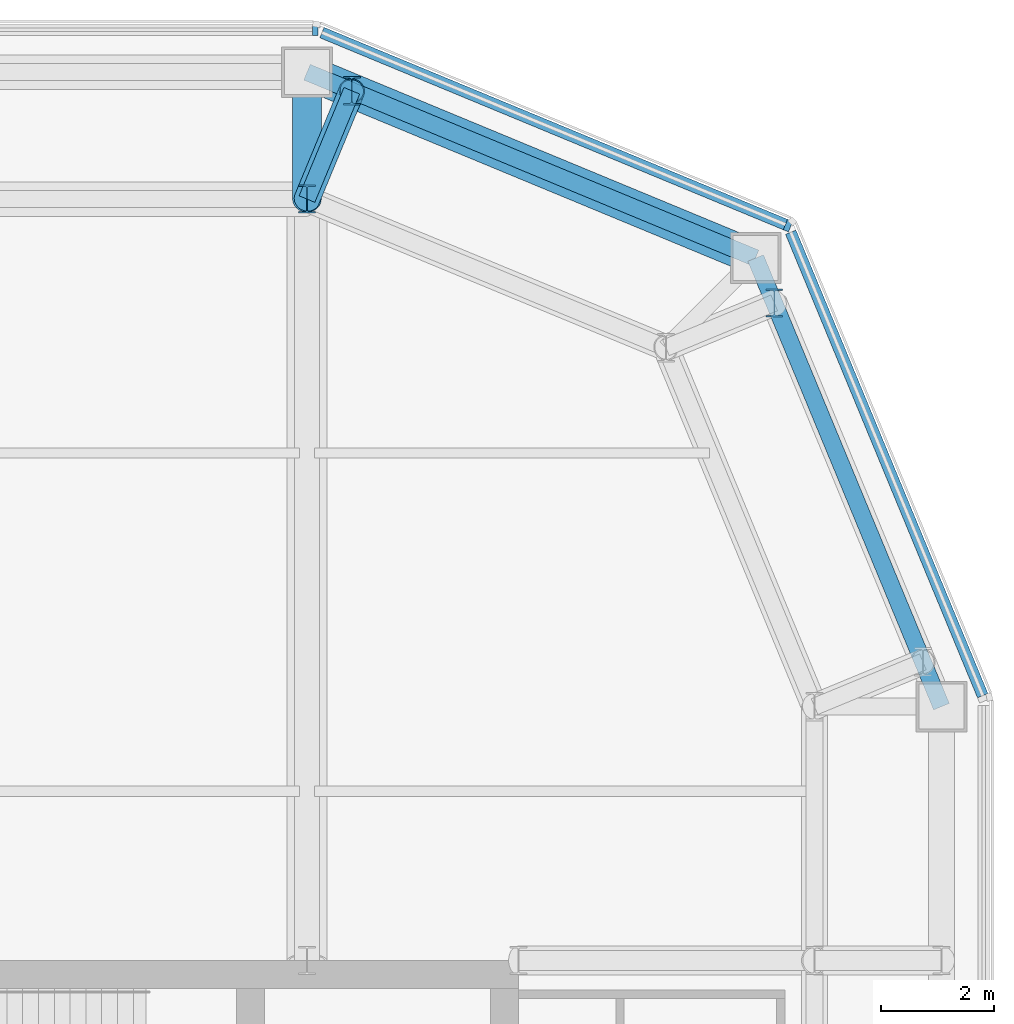
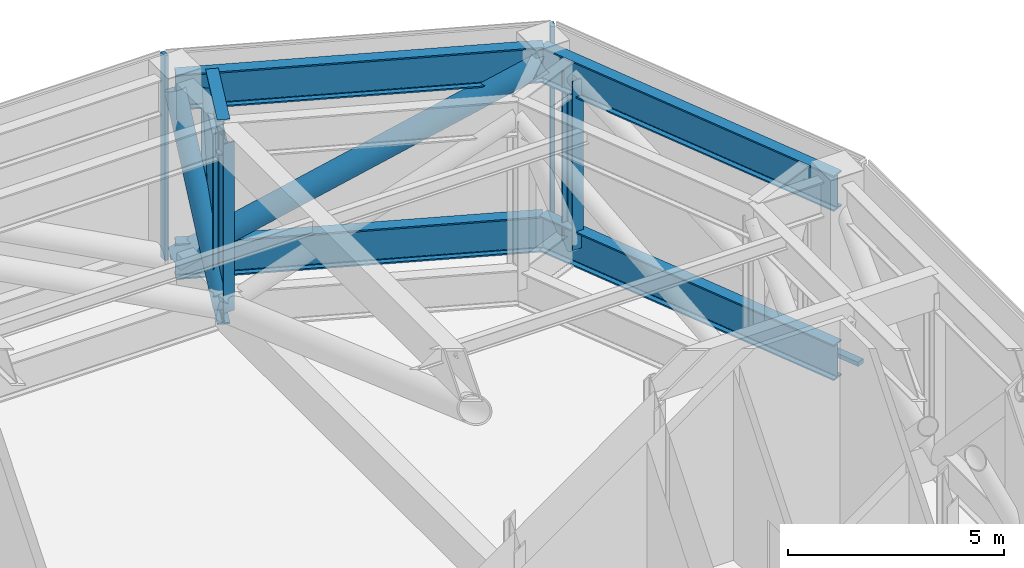
# One storey, part 9 of 22: 10 members, 6 beams, 3 elements without a shape of their own.
"""IFC4 building model written with IfcOpenShell, lengths in metres."""

from ifc_helpers import new_model, si_unit, direction, frame, origin, origin_2d, place, context, subcontext, project, spatial, rectangle, hollow_circle, i_section, extrude, material, layer, layer_set, material_profile, profile_set, type_object, element, aggregate, save


model = new_model("IFC4")

# Units and contexts
model_context = context("Model", 3, precision=1e-05, world=origin(), true_north=direction((0.0, 1.0)))
body_context = subcontext(model_context, "Body", "Model", "MODEL_VIEW")
ifc_project = project(units=[si_unit("LENGTHUNIT", "METRE"), si_unit("AREAUNIT", "SQUARE_METRE"), si_unit("VOLUMEUNIT", "CUBIC_METRE"), si_unit("PLANEANGLEUNIT", "RADIAN"), si_unit("MASSUNIT", "GRAM", prefix="KILO")], contexts=[model_context])

# Site, building, storey
site_placement = place(None, origin())
site = spatial("IfcSite", under=ifc_project, at=site_placement, CompositionType="ELEMENT")
building_placement = place(site_placement, origin())
building = spatial("IfcBuilding", under=site, at=building_placement, Name="Siwar Civic Tower", CompositionType="ELEMENT")
storey_placement = place(building_placement, frame((0.0, 0.0, 181.199951171875)))
storey = spatial("IfcBuildingStorey", under=building, at=storey_placement, Name="L39", CompositionType="ELEMENT", Elevation=181.199951171875)

# Curtain wall, member
ifc_material_1 = material(Name="Aluminium and glass", Category="aluminium")
ifc_layer = layer(ifc_material_1, 0.199951171875)
ifc_layer_set = layer_set([ifc_layer], Name="Aluminium and glass")
curtain_wall_type = type_object("IfcCurtainWallType", Name="ENV-CW-P", PredefinedType="NOTDEFINED", material=ifc_layer_set)
curtain_wall_1_placement = place(storey_placement, origin())
curtain_wall_1 = element("IfcCurtainWall", 1, at=curtain_wall_1_placement, inside=storey, type_object=curtain_wall_type, Name="Curtain wall P NE2", PredefinedType="NOTDEFINED")
ifc_material_2 = material(Name="Aluminium 6063-T6", Category="aluminium")
ifc_material_profile_1 = material_profile(ifc_material_2, rectangle(XDim=0.199951171875, YDim=0.10009765625, at=origin_2d()), Name="AL 200x100")
ifc_profile_set_1 = profile_set([ifc_material_profile_1], Name="Aluminium 6063-T6")
member_type_1 = type_object("IfcMemberType", Name="ENV-MULLION-P", PredefinedType="MULLION", material=ifc_profile_set_1)
member_1_placement = place(storey_placement, frame((26.529052734375, 26.529052734375, 0.0), z_axis=(0.0, 0.0, 1.0), x_axis=(-0.382683432365, -0.923879532511, 0.0)))
member_1 = element("IfcMember", 2, at=member_1_placement, type_object=member_type_1, Name="Mullion P NE2 1", PredefinedType="MULLION", context=body_context, shape_type="SweptSolid", body=[
    extrude(rectangle(XDim=0.199951171875, YDim=0.10009765625, at=origin_2d()), origin(), (0.0, 0.0, 1.0), 5.800048828125),
])

curtain_wall_2_placement = place(storey_placement, origin())
curtain_wall_2 = element("IfcCurtainWall", 3, at=curtain_wall_2_placement, inside=storey, type_object=curtain_wall_type, Name="Curtain wall P N-00", PredefinedType="NOTDEFINED")
member_2_placement = place(storey_placement, frame((18.149169921875, 30.0, 0.0), z_axis=(0.0, 0.0, 1.0), x_axis=(0.0, -1.0, 0.0)))
member_2 = element("IfcMember", 4, at=member_2_placement, type_object=member_type_1, Name="Mullion P N-00 1", PredefinedType="MULLION", context=body_context, shape_type="SweptSolid", body=[
    extrude(rectangle(XDim=0.199951171875, YDim=0.10009765625, at=origin_2d()), origin(), (0.0, 0.0, 1.0), 5.800048828125),
])
aggregate(curtain_wall_2, [member_2])

curtain_wall_3_placement = place(storey_placement, origin())
curtain_wall_3 = element("IfcCurtainWall", 5, at=curtain_wall_3_placement, inside=storey, type_object=curtain_wall_type, Name="Curtain wall P NE1", PredefinedType="NOTDEFINED")
ifc_material_3 = material(Name="Aluminium 6063-T6", Category="aluminium")
ifc_material_profile_2 = material_profile(ifc_material_3, rectangle(XDim=0.199951171875, YDim=0.1201171875, at=origin_2d()), Name="AL 200x120")
ifc_profile_set_2 = profile_set([ifc_material_profile_2], Name="Aluminium 6063-T6")
member_type_2 = type_object("IfcMemberType", Name="ENV-TRANSOM-P", PredefinedType="USERDEFINED", material=ifc_profile_set_2)
member_3_placement = place(storey_placement, frame((29.98095703125, 18.1953125, 0.06005859375), z_axis=(-0.382692802062, 0.9238756514, 0.0), x_axis=(-0.9238756514, -0.382692802062, 0.0)))
member_3 = element("IfcMember", 6, at=member_3_placement, type_object=member_type_2, Name="Transom P NE1 1", ObjectType="TRANSOM", PredefinedType="USERDEFINED", context=body_context, shape_type="SweptSolid", body=[
    extrude(rectangle(XDim=0.199951171875, YDim=0.1201171875, at=origin_2d()), origin(), (0.0, 0.0, 1.0), 8.894287109375),
])
aggregate(curtain_wall_3, [member_3])

# Member
member_4_placement = place(storey_placement, frame((26.482666015625, 26.548095703125, 0.06005859375), z_axis=(-0.923881336359, 0.382679077463, 0.0), x_axis=(-0.382679077463, -0.923881336359, 0.0)))
member_4 = element("IfcMember", 7, at=member_4_placement, type_object=member_type_2, Name="Transom P NE2 1", ObjectType="TRANSOM", PredefinedType="USERDEFINED", context=body_context, shape_type="SweptSolid", body=[
    extrude(rectangle(XDim=0.199951171875, YDim=0.1201171875, at=origin_2d()), origin(), (0.0, 0.0, 1.0), 8.89404296875),
])

aggregate(curtain_wall_1, [member_1, member_4])

# Beams
ifc_material_4 = material(Name="Steel S460", Category="steel")
ifc_material_profile_3 = material_profile(ifc_material_4, i_section(OverallWidth=0.302001953125, OverallDepth=1.008056640625, WebThickness=0.02099609375, FlangeThickness=0.0400390625, FilletRadius=0.030029296875, at=origin_2d()), Name="HEM1000")
ifc_profile_set_3 = profile_set([ifc_material_profile_3], Name="Steel S460")
beam_type_1 = type_object("IfcBeamType", Name="STR-BELT-TRUSS-CHORD-HEM1000", PredefinedType="BEAM", material=ifc_profile_set_3)
for number, where, z_axis, x_axis, name in (
    (8, (29.25, 18.0, 0.504150390625), (-0.382699877515, 0.923872720536, 0.0), (-0.923872720536, -0.382699877515, 0.0), "Belt truss chord"),
    (9, (29.25, 18.0, 5.296142578125), (-0.382699877515, 0.923872720536, 0.0), (-0.923872720536, -0.382699877515, 0.0), "Belt truss chord"),
    (10, (25.954833984375, 25.954833984375, 0.504150390625), (-0.923872720536, 0.382699877515, 0.0), (-0.382699877515, -0.923872720536, 0.0), "Belt truss chord"),
    (11, (25.954833984375, 25.954833984375, 5.296142578125), (-0.923872720536, 0.382699877515, 0.0), (-0.382699877515, -0.923872720536, 0.0), "Belt truss chord"),
):
    element("IfcBeam", number, at=place(storey_placement, frame(where, z_axis=z_axis, x_axis=x_axis)), inside=storey, type_object=beam_type_1, Name=name, PredefinedType="BEAM", context=body_context, shape_type="SweptSolid", body=[
        extrude(i_section(OverallWidth=0.302001953125, OverallDepth=1.008056640625, WebThickness=0.02099609375, FlangeThickness=0.0400390625, FilletRadius=0.030029296875, at=origin_2d()), origin(), (0.0, 0.0, 1.0), 8.6103515625),
    ])

# Members
ifc_material_5 = material(Name="Steel S355", Category="steel")
ifc_material_profile_4 = material_profile(ifc_material_5, hollow_circle(Radius=0.228515625, WallThickness=0.02001953125, at=origin_2d()), Name="CHS457x20")
ifc_profile_set_4 = profile_set([ifc_material_profile_4], Name="Steel S355")
member_type_3 = type_object("IfcMemberType", Name="STR-BELT-TRUSS-DIAGONAL-CHS457x20", PredefinedType="BRACE", material=ifc_profile_set_4)
member_5_placement = place(storey_placement, frame((17.999267578125, 26.998046875, 0.49951171875), z_axis=(0.15226891252, 0.367703299168, 0.917392207325), x_axis=(-0.923913980191, 0.382600257719, 0.0)))
element("IfcMember", 12, at=member_5_placement, inside=storey, type_object=member_type_3, Name="Belt truss diagonal", PredefinedType="BRACE", context=body_context, shape_type="SweptSolid", body=[
    extrude(hollow_circle(Radius=0.228515625, WallThickness=0.02001953125, at=origin_2d()), origin(), (0.0, 0.0, 1.0), 5.2333984375),
])
ifc_material_6 = material(Name="Steel S355", Category="steel")
ifc_material_profile_5 = material_profile(ifc_material_6, hollow_circle(Radius=0.304931640625, WallThickness=0.030029296875, at=origin_2d()), Name="CHS610x30")
ifc_profile_set_5 = profile_set([ifc_material_profile_5], Name="Steel S355")
member_type_4 = type_object("IfcMemberType", Name="STR-BELT-TRUSS-DIAGONAL-CHS610x30", PredefinedType="BRACE", material=ifc_profile_set_5)
member_6_placement = place(storey_placement, frame((17.995849609375, 29.251708984375, 0.501708984375), z_axis=(0.807284049506, -0.334378008671, 0.486296011427), x_axis=(0.382673670509, 0.923883575944, 0.0)))
element("IfcMember", 13, at=member_6_placement, inside=storey, type_object=member_type_4, Name="Belt truss diagonal", PredefinedType="BRACE", context=body_context, shape_type="SweptSolid", body=[
    extrude(hollow_circle(Radius=0.304931640625, WallThickness=0.030029296875, at=origin_2d()), origin(), (0.0, 0.0, 1.0), 9.864013671875),
])

# Beams
ifc_material_7 = material(Name="Steel S460", Category="steel")
ifc_material_profile_6 = material_profile(ifc_material_7, i_section(OverallWidth=0.302001953125, OverallDepth=1.008056640625, WebThickness=0.02099609375, FlangeThickness=0.0400390625, FilletRadius=0.030029296875, at=origin_2d()), Name="HEM1000")
ifc_profile_set_6 = profile_set([ifc_material_profile_6], Name="Steel S460")
beam_type_2 = type_object("IfcBeamType", Name="STR-BELT-TRUSS-LADDER-CHORD-HEM1000", PredefinedType="BEAM", material=ifc_profile_set_6)
for number, where, z_axis, x_axis, name in (
    (14, (18.0, 27.0, 0.504150390625), (0.382662992588, 0.923887998679, 0.0), (-0.923887998679, 0.382662992588, 0.0), "Belt truss ladder chord"),
    (15, (18.0, 27.0, 5.296142578125), (0.382662992588, 0.923887998679, 0.0), (-0.923887998679, 0.382662992588, 0.0), "Belt truss ladder chord"),
):
    element("IfcBeam", number, at=place(storey_placement, frame(where, z_axis=z_axis, x_axis=x_axis)), inside=storey, type_object=beam_type_2, Name=name, PredefinedType="BEAM", context=body_context, shape_type="SweptSolid", body=[
        extrude(i_section(OverallWidth=0.302001953125, OverallDepth=1.008056640625, WebThickness=0.02099609375, FlangeThickness=0.0400390625, FilletRadius=0.030029296875, at=origin_2d()), origin(), (0.0, 0.0, 1.0), 2.07861328125),
    ])

# Members
ifc_material_8 = material(Name="Steel S355", Category="steel")
ifc_material_profile_7 = material_profile(ifc_material_8, i_section(OverallWidth=0.300048828125, OverallDepth=0.5, WebThickness=0.014404296875, FlangeThickness=0.028076171875, FilletRadius=0.027099609375, at=origin_2d()), Name="HEB500")
ifc_profile_set_7 = profile_set([ifc_material_profile_7], Name="Steel S355")
member_type_5 = type_object("IfcMemberType", Name="STR-BELT-TRUSS-POST-HEB500", PredefinedType="POST", material=ifc_profile_set_7)
for number, where, z_axis, x_axis, name in (
    (16, (18.0, 27.0, 0.504150390625), (0.0, 0.0, 1.0), (1.0, 0.0, 0.0), "Belt truss post"),
    (17, (18.79541015625, 28.92041015625, 0.504150390625), (0.0, 0.0, 1.0), (1.0, 0.0, 0.0), "Belt truss post"),
    (18, (26.284423828125, 25.159423828125, 0.504150390625), (0.0, 0.0, 1.0), (1.0, 0.0, 0.0), "Belt truss post"),
):
    element("IfcMember", number, at=place(storey_placement, frame(where, z_axis=z_axis, x_axis=x_axis)), inside=storey, type_object=member_type_5, Name=name, PredefinedType="POST", context=body_context, shape_type="SweptSolid", body=[
        extrude(i_section(OverallWidth=0.300048828125, OverallDepth=0.5, WebThickness=0.014404296875, FlangeThickness=0.028076171875, FilletRadius=0.027099609375, at=origin_2d()), origin(), (0.0, 0.0, 1.0), 4.7919921875),
    ])
ifc_material_9 = material(Name="Steel S355", Category="steel")
ifc_material_profile_8 = material_profile(ifc_material_9, hollow_circle(Radius=0.25390625, WallThickness=0.02490234375, at=origin_2d()), Name="CHS508x25")
ifc_profile_set_8 = profile_set([ifc_material_profile_8], Name="Steel S355")
member_type_6 = type_object("IfcMemberType", Name="STR-OUTRIGGER-TRUSS-DIAGONAL-CHS508x25", PredefinedType="BRACE", material=ifc_profile_set_8)
member_7_placement = place(storey_placement, frame((18.0, 26.997802734375, 0.49951171875), z_axis=(0.0, 0.425038765055, 0.905175147803), x_axis=(-1.0, 0.0, 0.0)))
element("IfcMember", 19, at=member_7_placement, inside=storey, type_object=member_type_6, Name="Outrigger truss diagonal", PredefinedType="BRACE", context=body_context, shape_type="SweptSolid", body=[
    extrude(hollow_circle(Radius=0.25390625, WallThickness=0.02490234375, at=origin_2d()), origin(), (0.0, 0.0, 1.0), 5.303955078125),
])

save(model, "model.ifc")
